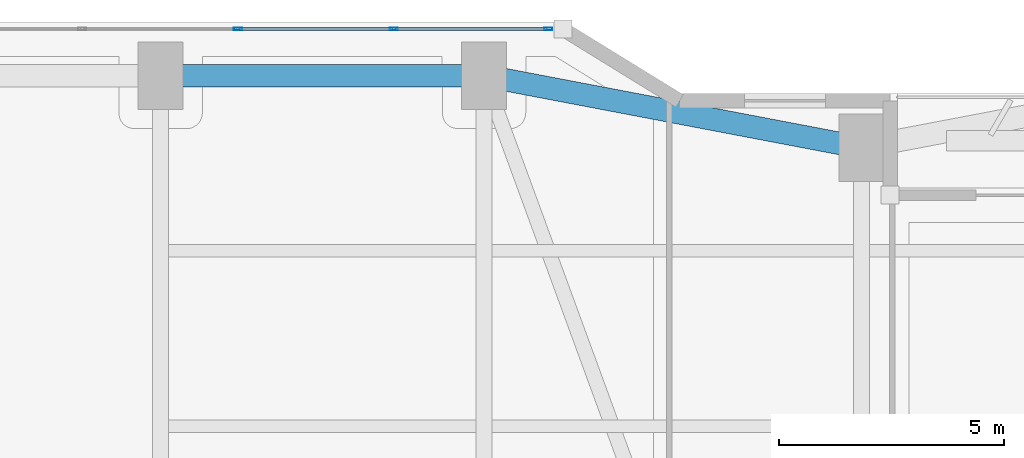
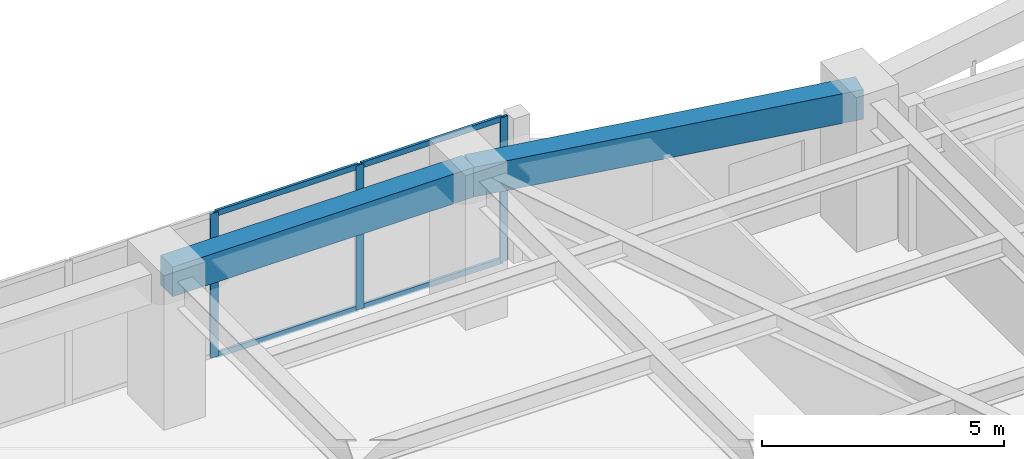
# One storey, part 17 of 29: 7 members, 2 beams, 1 element without a shape of its own.
"""IFC4 building model written with IfcOpenShell, lengths in metres."""

from ifc_helpers import new_model, si_unit, direction, frame, origin, origin_2d, place, context, subcontext, project, spatial, rectangle, hollow_rectangle, extrude, material, layer, layer_set, material_profile, profile_set, type_object, element, aggregate, save


model = new_model("IFC4")

# Units and contexts
model_context = context("Model", 3, precision=1e-05, world=origin(), true_north=direction((0.0, 1.0)))
body_context = subcontext(model_context, "Body", "Model", "MODEL_VIEW")
ifc_project = project(units=[si_unit("LENGTHUNIT", "METRE"), si_unit("AREAUNIT", "SQUARE_METRE"), si_unit("VOLUMEUNIT", "CUBIC_METRE"), si_unit("PLANEANGLEUNIT", "RADIAN"), si_unit("MASSUNIT", "GRAM", prefix="KILO")], contexts=[model_context])

# Site, building, storey
site_placement = place(None, origin())
site = spatial("IfcSite", under=ifc_project, at=site_placement, CompositionType="ELEMENT")
building_placement = place(site_placement, origin())
building = spatial("IfcBuilding", under=site, at=building_placement, Name="Kiyonajd Concourse Tower", CompositionType="ELEMENT")
storey_placement = place(building_placement, frame((0.0, 0.0, 25.5)))
storey = spatial("IfcBuildingStorey", under=building, at=storey_placement, Name="L07", CompositionType="ELEMENT", Elevation=25.5)

# Beams
ifc_material_1 = material(Name="Precast concrete C50/60", Category="concrete")
ifc_material_profile_1 = material_profile(ifc_material_1, rectangle(XDim=0.5, YDim=0.75, at=origin_2d()), Name="RCBM-500x750")
ifc_profile_set_1 = profile_set([ifc_material_profile_1], Name="Precast concrete C50/60")
beam_type = type_object("IfcBeamType", Name="BM-SPAN-RC", PredefinedType="SPANDREL", material=ifc_profile_set_1)
beam_1_placement = place(storey_placement, frame((48.0, 59.60009765625, 3.264892578125), z_axis=(-0.982341315253, 0.187097675953, 0.0), x_axis=(-0.187097675953, -0.982341315253, 0.0)))
element("IfcBeam", 1, at=beam_1_placement, inside=storey, type_object=beam_type, Name="L07 Perimeter Bundled Tube Spandrel", PredefinedType="SPANDREL", context=body_context, shape_type="SweptSolid", body=[
    extrude(rectangle(XDim=0.5, YDim=0.75, at=origin_2d()), origin(), (0.0, 0.0, 1.0), 8.55078125),
])
beam_2_placement = place(storey_placement, frame((39.60009765625, 61.199951171875, 3.264892578125), z_axis=(-1.0, 0.0, 0.0), x_axis=(0.0, -1.0, 0.0)))
element("IfcBeam", 2, at=beam_2_placement, inside=storey, type_object=beam_type, Name="L07 Perimeter Bundled Tube Spandrel", PredefinedType="SPANDREL", context=body_context, shape_type="SweptSolid", body=[
    extrude(rectangle(XDim=0.5, YDim=0.75, at=origin_2d()), origin(), (0.0, 0.0, 1.0), 7.2001953125),
])

# Curtain wall, members
ifc_material_2 = material(Name="Thermally Broken Anodised Aluminium", Category="aluminium")
ifc_layer = layer(ifc_material_2, 0.179931640625)
ifc_layer_set = layer_set([ifc_layer], Name="Thermally Broken Anodised Aluminium")
curtain_wall_type = type_object("IfcCurtainWallType", Name="CW-SYS-02", PredefinedType="NOTDEFINED", material=ifc_layer_set)
curtain_wall_placement = place(storey_placement, origin())
curtain_wall = element("IfcCurtainWall", 3, at=curtain_wall_placement, inside=storey, type_object=curtain_wall_type, Name="L07 Unitised Curtain Wall CW2", PredefinedType="NOTDEFINED")
ifc_material_profile_2 = material_profile(ifc_material_2, hollow_rectangle(XDim=0.06494140625, YDim=0.179931640625, WallThickness=0.00390625, at=origin_2d()), Name="MULL-65x180")
ifc_profile_set_2 = profile_set([ifc_material_profile_2], Name="Thermally Broken Anodised Aluminium")
member_type_1 = type_object("IfcMemberType", Name="MB-CW-MULL1", PredefinedType="MULLION", material=ifc_profile_set_2)
member_1_placement = place(storey_placement, frame((34.123291015625, 62.239990234375, 0.0), z_axis=(0.0, 0.0, 1.0), x_axis=(0.0, 1.0, 0.0)))
member_1 = element("IfcMember", 4, at=member_1_placement, type_object=member_type_1, Name="CW2 mullion 4", PredefinedType="MULLION", context=body_context, shape_type="SweptSolid", body=[
    extrude(hollow_rectangle(XDim=0.06494140625, YDim=0.179931640625, WallThickness=0.00390625, at=origin_2d()), origin(), (0.0, 0.0, 1.0), 3.639892578125),
])
member_2_placement = place(storey_placement, frame((37.593994140625, 62.239990234375, 0.0), z_axis=(0.0, 0.0, 1.0), x_axis=(0.0, 1.0, 0.0)))
member_2 = element("IfcMember", 5, at=member_2_placement, type_object=member_type_1, Name="CW2 mullion 5", PredefinedType="MULLION", context=body_context, shape_type="SweptSolid", body=[
    extrude(hollow_rectangle(XDim=0.06494140625, YDim=0.179931640625, WallThickness=0.00390625, at=origin_2d()), origin(), (0.0, 0.0, 1.0), 3.639892578125),
])
member_3_placement = place(storey_placement, frame((41.0322265625, 62.239990234375, 0.0), z_axis=(0.0, 0.0, 1.0), x_axis=(0.0, 1.0, 0.0)))
member_3 = element("IfcMember", 6, at=member_3_placement, type_object=member_type_1, Name="CW2 mullion 6", PredefinedType="MULLION", context=body_context, shape_type="SweptSolid", body=[
    extrude(hollow_rectangle(XDim=0.06494140625, YDim=0.179931640625, WallThickness=0.00390625, at=origin_2d()), origin(), (0.0, 0.0, 1.0), 3.639892578125),
])
ifc_material_profile_3 = material_profile(ifc_material_2, hollow_rectangle(XDim=0.06494140625, YDim=0.139892578125, WallThickness=0.00390625, at=origin_2d()), Name="TRAN-65x140")
ifc_profile_set_3 = profile_set([ifc_material_profile_3], Name="Thermally Broken Anodised Aluminium")
member_type_2 = type_object("IfcMemberType", Name="MB-CW-TRAN1", PredefinedType="USERDEFINED", material=ifc_profile_set_3)
member_4_placement = place(storey_placement, frame((34.15576171875, 62.239990234375, 0.032470703125), z_axis=(1.0, 0.0, 0.0), x_axis=(0.0, 1.0, 0.0)))
member_4 = element("IfcMember", 7, at=member_4_placement, type_object=member_type_2, Name="CW2 transom 4.1", ObjectType="TRANSOM", PredefinedType="USERDEFINED", context=body_context, shape_type="SweptSolid", body=[
    extrude(hollow_rectangle(XDim=0.06494140625, YDim=0.139892578125, WallThickness=0.00390625, at=origin_2d()), origin(), (0.0, 0.0, 1.0), 3.40576171875),
])
member_5_placement = place(storey_placement, frame((34.15576171875, 62.239990234375, 3.607421875), z_axis=(1.0, 0.0, 0.0), x_axis=(0.0, 1.0, 0.0)))
member_5 = element("IfcMember", 8, at=member_5_placement, type_object=member_type_2, Name="CW2 transom 4.2", ObjectType="TRANSOM", PredefinedType="USERDEFINED", context=body_context, shape_type="SweptSolid", body=[
    extrude(hollow_rectangle(XDim=0.06494140625, YDim=0.139892578125, WallThickness=0.00390625, at=origin_2d()), origin(), (0.0, 0.0, 1.0), 3.40576171875),
])
member_6_placement = place(storey_placement, frame((37.62646484375, 62.239990234375, 0.032470703125), z_axis=(1.0, 0.0, 0.0), x_axis=(0.0, 1.0, 0.0)))
member_6 = element("IfcMember", 9, at=member_6_placement, type_object=member_type_2, Name="CW2 transom 5.1", ObjectType="TRANSOM", PredefinedType="USERDEFINED", context=body_context, shape_type="SweptSolid", body=[
    extrude(hollow_rectangle(XDim=0.06494140625, YDim=0.139892578125, WallThickness=0.00390625, at=origin_2d()), origin(), (0.0, 0.0, 1.0), 3.373291015625),
])
member_7_placement = place(storey_placement, frame((37.62646484375, 62.239990234375, 3.607421875), z_axis=(1.0, 0.0, 0.0), x_axis=(0.0, 1.0, 0.0)))
member_7 = element("IfcMember", 10, at=member_7_placement, type_object=member_type_2, Name="CW2 transom 5.2", ObjectType="TRANSOM", PredefinedType="USERDEFINED", context=body_context, shape_type="SweptSolid", body=[
    extrude(hollow_rectangle(XDim=0.06494140625, YDim=0.139892578125, WallThickness=0.00390625, at=origin_2d()), origin(), (0.0, 0.0, 1.0), 3.373291015625),
])
aggregate(curtain_wall, [member_1, member_2, member_3, member_4, member_5, member_6, member_7])

save(model, "model.ifc")
